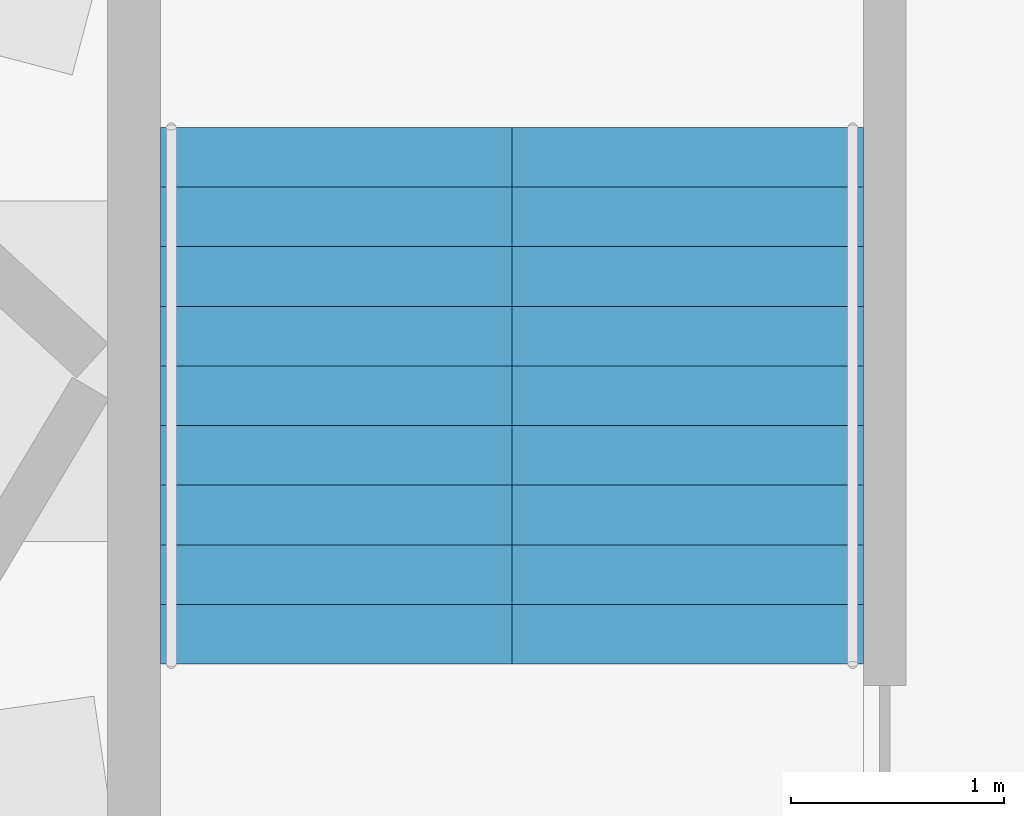
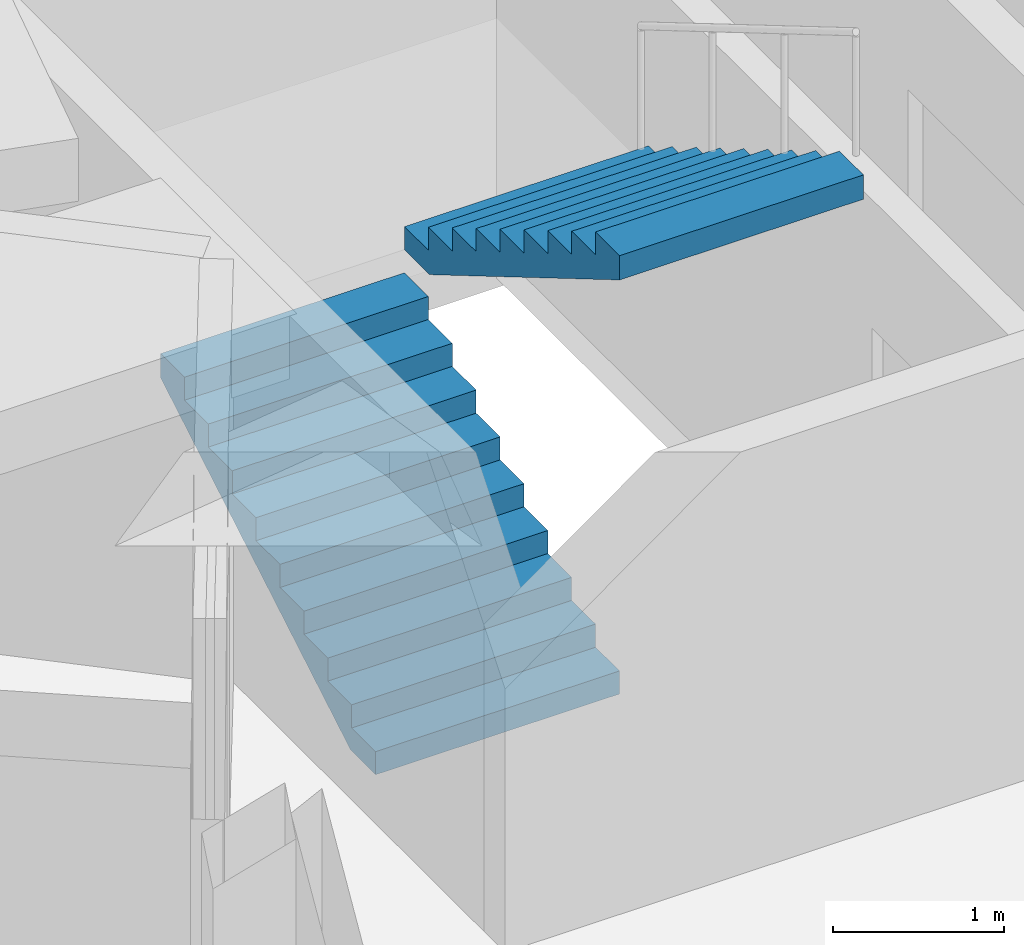
# One storey, part 9 of 12: 2 stair flights, 1 element without a shape of its own.
"""IFC4 building model written with IfcOpenShell, lengths in metres."""

import ifcopenshell
import ifcopenshell.guid

model = None  # the IFC model being written
_history = None  # IfcOwnerHistory: only IFC2X3 demands one
_inside = {}  # id of a spatial element -> (the spatial element, [elements in it])
_under = {}  # id of a project, library or spatial element -> (it, [spatial elements below it])
_declared = {}  # id of a project -> (the project, [libraries it declares])
_typed = {}  # id of a type object -> (the type object, [elements of that type])
_made_of = {}  # id of a material, layer set ... -> (it, [elements and type objects made of it])


def new_model(schema):
    """Start an empty IFC model of exactly this schema.

    Asked for "IFC4X3", IfcOpenShell would pick the latest addendum, in which some entities
    have other attributes; the version numbers below select the first issue.
    IFC2X3 requires an IfcOwnerHistory on every rooted entity: one is made here for all.
    """
    global model, _history
    if schema == "IFC4X3":
        model = ifcopenshell.file(schema_version=(4, 3, 0, 0))
    else:
        model = ifcopenshell.file(schema=schema)
    _inside.clear()
    _under.clear()
    _declared.clear()
    _typed.clear()
    _made_of.clear()
    _history = None
    if model.schema == "IFC2X3":
        org = make("IfcOrganization", Name="unknown")
        user = make(
            "IfcPersonAndOrganization",
            ThePerson=make("IfcPerson", FamilyName="unknown"),
            TheOrganization=org,
        )
        app = make(
            "IfcApplication",
            ApplicationDeveloper=org,
            Version="unknown",
            ApplicationFullName="unknown",
            ApplicationIdentifier="unknown",
        )
        _history = make(
            "IfcOwnerHistory",
            OwningUser=user,
            OwningApplication=app,
            ChangeAction="ADDED",
            CreationDate=0,
        )
    return model


def make(cls, **values):
    """One entity of the class cls with the attributes given. An attribute that is None is left unset."""
    return model.create_entity(
        cls, **{name: value for name, value in values.items() if value is not None}
    )


def rooted(cls, **values):
    """An entity with a GlobalId (a new one), such as an element, a storey or a relation."""
    return make(cls, GlobalId=ifcopenshell.guid.new(), OwnerHistory=_history, **values)


def si_unit(unit_type, name, prefix=None):
    """IfcSIUnit, for example si_unit("LENGTHUNIT", "METRE", prefix="MILLI")."""
    return make("IfcSIUnit", UnitType=unit_type, Prefix=prefix, Name=name)


def assignment(units):
    """IfcUnitAssignment: the units of a project."""
    return None if units is None else make("IfcUnitAssignment", Units=units)


def point(xyz):
    """IfcCartesianPoint."""
    return None if xyz is None else make("IfcCartesianPoint", Coordinates=xyz)


def direction(xyz):
    """IfcDirection."""
    return None if xyz is None else make("IfcDirection", DirectionRatios=xyz)


def frame(location, z_axis=None, x_axis=None):
    """IfcAxis2Placement3D, a coordinate frame: its origin and axes. An axis left out is left unset."""
    return make(
        "IfcAxis2Placement3D",
        Location=point(location),
        Axis=direction(z_axis),
        RefDirection=direction(x_axis),
    )


def origin():
    """The frame at (0, 0, 0) with its axes left unset."""
    return frame((0.0, 0.0, 0.0))


def place(relative_to, where):
    """IfcLocalPlacement: puts the frame where relative to a parent placement (None: the world)."""
    return make(
        "IfcLocalPlacement", PlacementRelTo=relative_to, RelativePlacement=where
    )


def context(
    kind, dimensions, precision=None, world=None, true_north=None, identifier=None
):
    """IfcGeometricRepresentationContext, for example the 3D "Model" context."""
    return make(
        "IfcGeometricRepresentationContext",
        ContextIdentifier=identifier,
        ContextType=kind,
        CoordinateSpaceDimension=dimensions,
        Precision=precision,
        WorldCoordinateSystem=world,
        TrueNorth=true_north,
    )


def subcontext(parent, identifier, kind, view, scale=None):
    """IfcGeometricRepresentationSubContext, for example "Body" below "Model"."""
    return make(
        "IfcGeometricRepresentationSubContext",
        ContextIdentifier=identifier,
        ContextType=kind,
        ParentContext=parent,
        TargetScale=scale,
        TargetView=view,
    )


def project(units=None, contexts=None):
    """IfcProject with its units and contexts."""
    return rooted(
        "IfcProject",
        Name="project",
        RepresentationContexts=contexts,
        UnitsInContext=assignment(units),
    )


def spatial(cls, under=None, at=None, **own):
    """A site, building, storey or space (cls), placed at a placement, below another one or the project."""
    s = rooted(cls, ObjectPlacement=at, **own)
    if under is not None:
        _under.setdefault(under.id(), (under, []))[1].append(s)
    return s


def polyline(points):
    """IfcPolyline through the points."""
    return make("IfcPolyline", Points=[point(p) for p in points])


def outline(outer, holes=None, kind="AREA"):
    """IfcArbitraryClosedProfileDef: a profile drawn as a closed curve; with holes, ...WithVoids."""
    if holes is None:
        return make("IfcArbitraryClosedProfileDef", ProfileType=kind, OuterCurve=outer)
    return make(
        "IfcArbitraryProfileDefWithVoids",
        ProfileType=kind,
        OuterCurve=outer,
        InnerCurves=holes,
    )


def extrude(swept, where, along, depth):
    """IfcExtrudedAreaSolid: the profile swept, set in the frame where, extruded along a direction by depth."""
    return make(
        "IfcExtrudedAreaSolid",
        SweptArea=swept,
        Position=where,
        ExtrudedDirection=direction(along),
        Depth=depth,
    )


def shape(context_of_items, identifier, shape_type, items):
    """IfcShapeRepresentation: the items that make up one representation, for example the "Body"."""
    return make(
        "IfcShapeRepresentation",
        ContextOfItems=context_of_items,
        RepresentationIdentifier=identifier,
        RepresentationType=shape_type,
        Items=items,
    )


def material(Name=None, Category=None):
    """IfcMaterial."""
    return make("IfcMaterial", Name=Name, Category=Category)


def made_of(thing, what):
    """Note that an element or type object is made of a material, layer set ...; save() writes the relation."""
    if what is not None:
        _made_of.setdefault(what.id(), (what, []))[1].append(thing)
    return thing


def type_object(cls, material=None, **own):
    """A type object (cls), such as IfcWallType, which elements share."""
    return made_of(rooted(cls, **own), material)


def element(
    cls,
    number,
    at=None,
    inside=None,
    cuts=None,
    type_object=None,
    material=None,
    context=None,
    identifier="Body",
    shape_type=None,
    held_by="IfcProductDefinitionShape",
    body=None,
    shapes=None,
    **own,
):
    """One element of the class cls, such as IfcWall. Its Tag is "e" and its number.

    at: its placement. inside: the storey or other place that contains it. cuts: it is an
    opening in that element (IfcRelVoidsElement). A single representation is given by context,
    identifier, shape_type and body (its items); several are given by shapes. held_by: the class
    of the entity that holds the representations. save() writes the other relations.
    """
    e = rooted(cls, Tag="e%d" % number, ObjectPlacement=at, **own)
    if body is not None:
        shapes = [shape(context, identifier, shape_type, body)]
    if shapes is not None:
        e.Representation = make(held_by, Representations=shapes)
    if inside is not None:
        _inside.setdefault(inside.id(), (inside, []))[1].append(e)
    if cuts is not None:
        rooted(
            "IfcRelVoidsElement", RelatingBuildingElement=cuts, RelatedOpeningElement=e
        )
    if type_object is not None:
        _typed.setdefault(type_object.id(), (type_object, []))[1].append(e)
    return made_of(e, material)


def aggregate(whole, parts):
    """IfcRelAggregates: a whole, such as a stair, and the parts it consists of."""
    return rooted("IfcRelAggregates", RelatingObject=whole, RelatedObjects=parts)


def save(model, path):
    """Write the relations noted so far, then the file.

    IfcRelAggregates (storeys below a building ...), IfcRelContainedInSpatialStructure (elements
    in a storey), IfcRelDefinesByType, IfcRelAssociatesMaterial and IfcRelDeclares: one each for
    every whole, place, type object, material and project.
    """
    for whole, parts in _under.values():
        aggregate(whole, parts)
    for where, things in _inside.values():
        rooted(
            "IfcRelContainedInSpatialStructure",
            RelatedElements=things,
            RelatingStructure=where,
        )
    for kind, things in _typed.values():
        rooted("IfcRelDefinesByType", RelatedObjects=things, RelatingType=kind)
    for what, things in _made_of.values():
        rooted("IfcRelAssociatesMaterial", RelatedObjects=things, RelatingMaterial=what)
    for by, libraries in _declared.values():
        rooted("IfcRelDeclares", RelatingContext=by, RelatedDefinitions=libraries)
    model.write(path)


model = new_model("IFC4")

# Units and contexts
model_context = context("Model", 3, precision=1e-05, world=origin(), true_north=direction((0.0, 1.0)))
body_context = subcontext(model_context, "Body", "Model", "MODEL_VIEW")
ifc_project = project(units=[si_unit("LENGTHUNIT", "METRE"), si_unit("AREAUNIT", "SQUARE_METRE"), si_unit("VOLUMEUNIT", "CUBIC_METRE"), si_unit("PLANEANGLEUNIT", "RADIAN"), si_unit("MASSUNIT", "GRAM", prefix="KILO")], contexts=[model_context])

# Site, building, storey
site_placement = place(None, origin())
site = spatial("IfcSite", under=ifc_project, at=site_placement, CompositionType="ELEMENT")
building_placement = place(site_placement, origin())
building = spatial("IfcBuilding", under=site, at=building_placement, Name="Taillehof Tower", CompositionType="ELEMENT")
storey_placement = place(building_placement, frame((0.0, 0.0, 151.699951171875)))
storey = spatial("IfcBuildingStorey", under=building, at=storey_placement, Name="L42", CompositionType="ELEMENT", Elevation=151.699951171875)

# Stair, stair flights
ifc_material_1 = material(Name="Concrete C40/50", Category="concrete")
stair_type = type_object("IfcStairType", Name="Exit stair half-turn", PredefinedType="HALF_TURN_STAIR", material=ifc_material_1)
stair_placement = place(storey_placement, origin())
stair = element("IfcStair", 1, at=stair_placement, inside=storey, type_object=stair_type, Name="Exit stair S3", PredefinedType="HALF_TURN_STAIR")
ifc_material_2 = material(Name="Concrete C40/50", Category="concrete")
stair_flight_type = type_object("IfcStairFlightType", Name="Stair flight 1650 riser 165.0 going 280", PredefinedType="STRAIGHT", material=ifc_material_2)
stair_flight_1_placement = place(storey_placement, frame((-13.425048828125, 9.449951171875, 0.0), z_axis=(0.0, 0.0, 1.0), x_axis=(0.0, 1.0, 0.0)))
stair_flight_1 = element("IfcStairFlight", 2, at=stair_flight_1_placement, type_object=stair_flight_type, Name="S3 flight 1", NumberOfRisers=10, NumberOfTreads=9, PredefinedType="STRAIGHT", RiserHeight=0.165, TreadLength=0.28, context=body_context, shape_type="SweptSolid", body=[
    extrude(outline(polyline([(0.0, 0.0), (0.0, 0.00537109375), (0.0, 0.0107421875), (0.0, 0.015869140625), (0.0, 0.021240234375), (0.0, 0.026611328125), (0.0, 0.031982421875), (0.0, 0.037353515625), (0.0, 0.04248046875), (0.0, 0.0478515625), (0.0, 0.05322265625), (0.0, 0.05859375), (0.0, 0.06396484375), (0.0, 0.069091796875), (0.0, 0.074462890625), (0.0, 0.079833984375), (0.0, 0.085205078125), (0.0, 0.090576171875), (0.0, 0.095703125), (0.0, 0.10107421875), (0.0, 0.1064453125), (0.0, 0.11181640625), (0.0, 0.1171875), (0.0, 0.122314453125), (0.0, 0.127685546875), (0.0, 0.133056640625), (0.0, 0.138427734375), (0.0, 0.143798828125), (0.0, 0.14892578125), (0.0, 0.154296875), (0.0, 0.15966796875), (0.0, 0.1650390625), (0.280029296875, 0.1650390625), (0.280029296875, 0.330078125), (0.56005859375, 0.330078125), (0.56005859375, 0.4951171875), (0.840087890625, 0.4951171875), (0.840087890625, 0.659912109375), (1.1201171875, 0.659912109375), (1.1201171875, 0.824951171875), (1.39990234375, 0.824951171875), (1.39990234375, 0.989990234375), (1.679931640625, 0.989990234375), (1.679931640625, 1.155029296875), (1.9599609375, 1.155029296875), (1.9599609375, 1.320068359375), (2.239990234375, 1.320068359375), (2.239990234375, 1.485107421875), (2.52001953125, 1.485107421875), (2.52001953125, 1.4794921875), (2.52001953125, 1.473876953125), (2.52001953125, 1.46826171875), (2.52001953125, 1.462646484375), (2.52001953125, 1.45703125), (2.52001953125, 1.451416015625), (2.52001953125, 1.44580078125), (2.52001953125, 1.440185546875), (2.52001953125, 1.4345703125), (2.52001953125, 1.428955078125), (2.52001953125, 1.42333984375), (2.52001953125, 1.417724609375), (2.52001953125, 1.412109375), (2.52001953125, 1.406494140625), (2.52001953125, 1.40087890625), (2.52001953125, 1.395263671875), (2.52001953125, 1.3896484375), (2.52001953125, 1.384033203125), (2.52001953125, 1.37841796875), (2.52001953125, 1.372802734375), (2.52001953125, 1.3671875), (2.52001953125, 1.361572265625), (2.52001953125, 1.35595703125), (2.52001953125, 1.350341796875), (2.52001953125, 1.3447265625), (2.52001953125, 1.339111328125), (2.52001953125, 1.33349609375), (2.52001953125, 1.327880859375), (2.52001953125, 1.322265625), (2.52001953125, 1.316650390625), (2.52001953125, 1.31103515625), (0.295166015625, 0.0), (0.0, 0.0)])), frame((0.0, 0.824951171875, 0.0), z_axis=(0.0, -1.0, 0.0), x_axis=(1.0, 0.0, 0.0)), (0.0, 0.0, 1.0), 1.65),
])
stair_flight_2_placement = place(storey_placement, frame((-11.77490234375, 11.969970703125, 1.650146484375), z_axis=(0.0, 0.0, 1.0), x_axis=(0.0, -1.0, 0.0)))
stair_flight_2 = element("IfcStairFlight", 3, at=stair_flight_2_placement, type_object=stair_flight_type, Name="S3 flight 2", NumberOfRisers=10, NumberOfTreads=9, PredefinedType="STRAIGHT", RiserHeight=0.165, TreadLength=0.28, context=body_context, shape_type="SweptSolid", body=[
    extrude(outline(polyline([(0.0, 0.0), (0.0, 0.00537109375), (0.0, 0.0107421875), (0.0, 0.015869140625), (0.0, 0.021240234375), (0.0, 0.026611328125), (0.0, 0.031982421875), (0.0, 0.037353515625), (0.0, 0.04248046875), (0.0, 0.0478515625), (0.0, 0.05322265625), (0.0, 0.05859375), (0.0, 0.06396484375), (0.0, 0.069091796875), (0.0, 0.074462890625), (0.0, 0.079833984375), (0.0, 0.085205078125), (0.0, 0.090576171875), (0.0, 0.095703125), (0.0, 0.10107421875), (0.0, 0.1064453125), (0.0, 0.11181640625), (0.0, 0.1171875), (0.0, 0.122314453125), (0.0, 0.127685546875), (0.0, 0.133056640625), (0.0, 0.138427734375), (0.0, 0.143798828125), (0.0, 0.14892578125), (0.0, 0.154296875), (0.0, 0.15966796875), (0.0, 0.1650390625), (0.280029296875, 0.1650390625), (0.280029296875, 0.330078125), (0.56005859375, 0.330078125), (0.56005859375, 0.4951171875), (0.840087890625, 0.4951171875), (0.840087890625, 0.659912109375), (1.1201171875, 0.659912109375), (1.1201171875, 0.824951171875), (1.39990234375, 0.824951171875), (1.39990234375, 0.989990234375), (1.679931640625, 0.989990234375), (1.679931640625, 1.155029296875), (1.9599609375, 1.155029296875), (1.9599609375, 1.320068359375), (2.239990234375, 1.320068359375), (2.239990234375, 1.485107421875), (2.52001953125, 1.485107421875), (2.52001953125, 1.4794921875), (2.52001953125, 1.473876953125), (2.52001953125, 1.46826171875), (2.52001953125, 1.462646484375), (2.52001953125, 1.45703125), (2.52001953125, 1.451416015625), (2.52001953125, 1.44580078125), (2.52001953125, 1.440185546875), (2.52001953125, 1.4345703125), (2.52001953125, 1.428955078125), (2.52001953125, 1.42333984375), (2.52001953125, 1.417724609375), (2.52001953125, 1.412109375), (2.52001953125, 1.406494140625), (2.52001953125, 1.40087890625), (2.52001953125, 1.395263671875), (2.52001953125, 1.3896484375), (2.52001953125, 1.384033203125), (2.52001953125, 1.37841796875), (2.52001953125, 1.372802734375), (2.52001953125, 1.3671875), (2.52001953125, 1.361572265625), (2.52001953125, 1.35595703125), (2.52001953125, 1.350341796875), (2.52001953125, 1.3447265625), (2.52001953125, 1.339111328125), (2.52001953125, 1.33349609375), (2.52001953125, 1.327880859375), (2.52001953125, 1.322265625), (2.52001953125, 1.316650390625), (2.52001953125, 1.31103515625), (0.295166015625, 0.0), (0.0, 0.0)])), frame((0.0, 0.824951171875, 0.0), z_axis=(0.0, -1.0, 0.0), x_axis=(1.0, 0.0, 0.0)), (0.0, 0.0, 1.0), 1.65),
])
aggregate(stair, [stair_flight_1, stair_flight_2])

save(model, "model.ifc")
